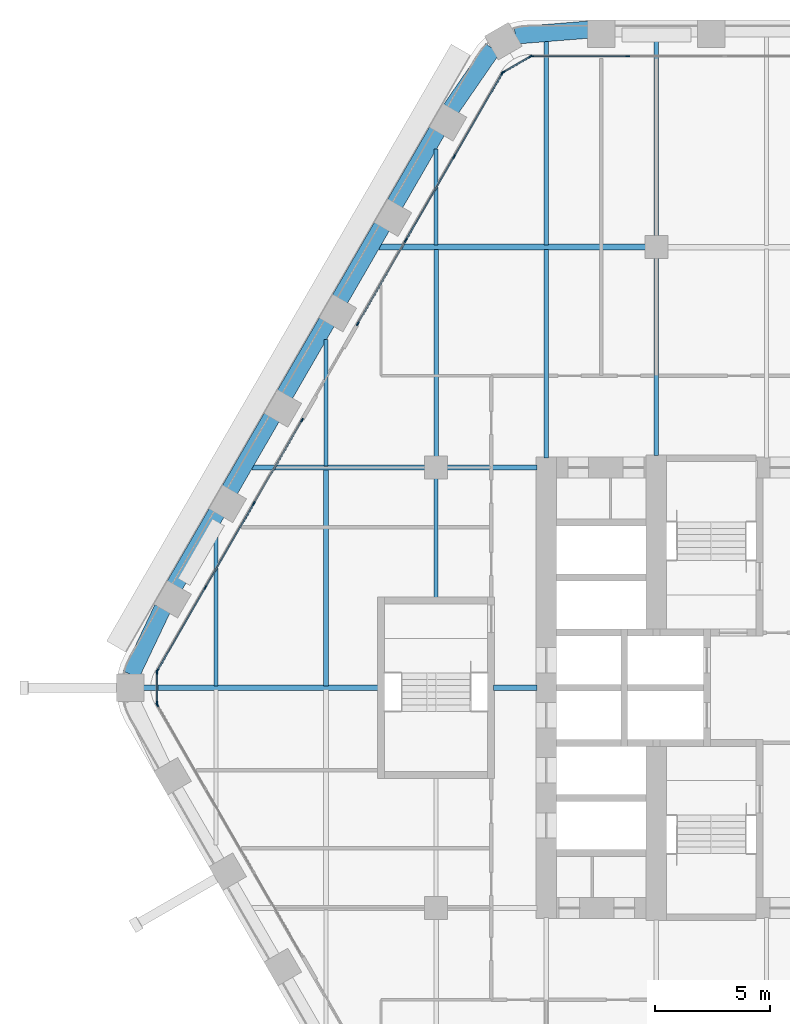
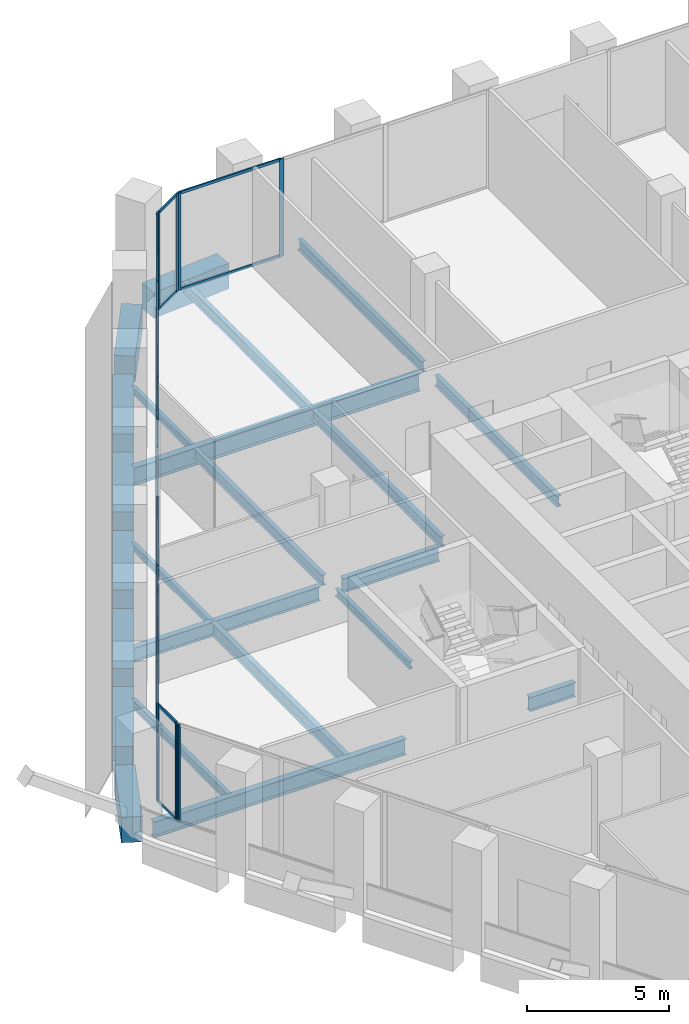
# One storey, part 7 of 26: 33 members, 23 beams, 6 elements without a shape of their own.
"""IFC4 building model written with IfcOpenShell, lengths in metres."""

from ifc_helpers import new_model, si_unit, direction, frame, origin, origin_2d, place, context, subcontext, project, spatial, rectangle, i_section, extrude, material, material_profile, profile_set, type_object, element, aggregate, save


model = new_model("IFC4")

# Units and contexts
model_context = context("Model", 3, precision=1e-05, world=origin(), true_north=direction((0.0, 1.0)))
body_context = subcontext(model_context, "Body", "Model", "MODEL_VIEW")
ifc_project = project(units=[si_unit("LENGTHUNIT", "METRE"), si_unit("AREAUNIT", "SQUARE_METRE"), si_unit("VOLUMEUNIT", "CUBIC_METRE"), si_unit("PLANEANGLEUNIT", "RADIAN"), si_unit("MASSUNIT", "GRAM", prefix="KILO")], contexts=[model_context])

# Site, building, storey
site_placement = place(None, origin())
site = spatial("IfcSite", under=ifc_project, at=site_placement, CompositionType="ELEMENT")
building_placement = place(site_placement, origin())
building = spatial("IfcBuilding", under=site, at=building_placement, Name="Kolab Exchange Tower", CompositionType="ELEMENT")
storey_placement = place(building_placement, frame((0.0, 0.0, 104.89990234375)))
storey = spatial("IfcBuildingStorey", under=building, at=storey_placement, Name="L20", CompositionType="ELEMENT", Elevation=104.89990234375)

# Beams
ifc_material_1 = material(Name="Steel S355", Category="steel")
ifc_material_profile_1 = material_profile(ifc_material_1, i_section(OverallWidth=0.1650390625, OverallDepth=0.31005859375, WebThickness=0.005859375, FlangeThickness=0.009765625, at=origin_2d()), Name="W310X39")
ifc_profile_set_1 = profile_set([ifc_material_profile_1], Name="Steel S355")
beam_type_1 = type_object("IfcBeamType", Name="FLOOR BEAM W310X39", PredefinedType="BEAM", material=ifc_profile_set_1)
beam_1_placement = place(storey_placement, frame((-24.0, 9.674072265625, -0.35498046875), z_axis=(0.0, 1.0, 0.0), x_axis=(-1.0, 0.0, 0.0)))
element("IfcBeam", 1, at=beam_1_placement, inside=storey, type_object=beam_type_1, Name="beam/L20/fr/005", PredefinedType="BEAM", context=body_context, shape_type="SweptSolid", body=[
    extrude(i_section(OverallWidth=0.1650390625, OverallDepth=0.31005859375, WebThickness=0.005859375, FlangeThickness=0.009765625, at=origin_2d()), origin(), (0.0, 0.0, 1.0), 5.49365234375),
])
beam_2_placement = place(storey_placement, frame((-19.199951171875, 3.909912109375, -0.35498046875), z_axis=(0.0, 1.0, 0.0), x_axis=(-1.0, 0.0, 0.0)))
element("IfcBeam", 2, at=beam_2_placement, inside=storey, type_object=beam_type_1, Name="beam/L20/fr/009", PredefinedType="BEAM", context=body_context, shape_type="SweptSolid", body=[
    extrude(i_section(OverallWidth=0.1650390625, OverallDepth=0.31005859375, WebThickness=0.005859375, FlangeThickness=0.009765625, at=origin_2d()), origin(), (0.0, 0.0, 1.0), 5.22998046875),
])
beam_3_placement = place(storey_placement, frame((-19.199951171875, 19.29345703125, -0.35498046875), z_axis=(0.0, 1.0, 0.0), x_axis=(-1.0, 0.0, 0.0)))
element("IfcBeam", 3, at=beam_3_placement, inside=storey, type_object=beam_type_1, Name="beam/L20/fr/011", PredefinedType="BEAM", context=body_context, shape_type="SweptSolid", body=[
    extrude(i_section(OverallWidth=0.1650390625, OverallDepth=0.31005859375, WebThickness=0.005859375, FlangeThickness=0.009765625, at=origin_2d()), origin(), (0.0, 0.0, 1.0), 4.18798828125),
])
ifc_material_profile_2 = material_profile(ifc_material_1, i_section(OverallWidth=0.1708984375, OverallDepth=0.35498046875, WebThickness=0.007080078125, FlangeThickness=0.01171875, at=origin_2d()), Name="W360X51")
ifc_profile_set_2 = profile_set([ifc_material_profile_2], Name="Steel S355")
beam_type_2 = type_object("IfcBeamType", Name="FLOOR BEAM W360X51", PredefinedType="BEAM", material=ifc_profile_set_2)
beam_4_placement = place(storey_placement, frame((-28.800048828125, 0.0869140625, -0.37744140625), z_axis=(0.0, 1.0, 0.0), x_axis=(-1.0, 0.0, 0.0)))
element("IfcBeam", 4, at=beam_4_placement, inside=storey, type_object=beam_type_2, Name="beam/L20/fr/001", PredefinedType="BEAM", context=body_context, shape_type="SweptSolid", body=[
    extrude(i_section(OverallWidth=0.1708984375, OverallDepth=0.35498046875, WebThickness=0.007080078125, FlangeThickness=0.01171875, at=origin_2d()), origin(), (0.0, 0.0, 1.0), 6.766845703125),
])
ifc_material_profile_3 = material_profile(ifc_material_1, i_section(OverallWidth=0.18994140625, OverallDepth=0.45703125, WebThickness=0.009033203125, FlangeThickness=0.014404296875, at=origin_2d()), Name="W460X74")
ifc_profile_set_3 = profile_set([ifc_material_profile_3], Name="Steel S355")
beam_type_3 = type_object("IfcBeamType", Name="FLOOR BEAM W460X74", PredefinedType="BEAM", material=ifc_profile_set_3)
beam_5_placement = place(storey_placement, frame((-19.199951171875, 10.06005859375, -0.428466796875), z_axis=(0.0, 1.0, 0.0), x_axis=(-1.0, 0.0, 0.0)))
element("IfcBeam", 5, at=beam_5_placement, inside=storey, type_object=beam_type_3, Name="beam/L20/fr/010", PredefinedType="BEAM", context=body_context, shape_type="SweptSolid", body=[
    extrude(i_section(OverallWidth=0.18994140625, OverallDepth=0.45703125, WebThickness=0.009033203125, FlangeThickness=0.014404296875, at=origin_2d()), origin(), (0.0, 0.0, 1.0), 9.04638671875),
])
beam_6_placement = place(storey_placement, frame((-14.39990234375, 10.010009765625, -0.428466796875), z_axis=(0.0, 1.0, 0.0), x_axis=(-1.0, 0.0, 0.0)))
element("IfcBeam", 6, at=beam_6_placement, inside=storey, type_object=beam_type_3, Name="beam/L20/fr/014", PredefinedType="BEAM", context=body_context, shape_type="SweptSolid", body=[
    extrude(i_section(OverallWidth=0.18994140625, OverallDepth=0.45703125, WebThickness=0.009033203125, FlangeThickness=0.014404296875, at=origin_2d()), origin(), (0.0, 0.0, 1.0), 9.096435546875),
])
beam_7_placement = place(storey_placement, frame((-14.39990234375, 19.29345703125, -0.428466796875), z_axis=(0.0, 1.0, 0.0), x_axis=(-1.0, 0.0, 0.0)))
element("IfcBeam", 7, at=beam_7_placement, inside=storey, type_object=beam_type_3, Name="beam/L20/fr/015", PredefinedType="BEAM", context=body_context, shape_type="SweptSolid", body=[
    extrude(i_section(OverallWidth=0.18994140625, OverallDepth=0.45703125, WebThickness=0.009033203125, FlangeThickness=0.014404296875, at=origin_2d()), origin(), (0.0, 0.0, 1.0), 8.901123046875),
])
beam_8_placement = place(storey_placement, frame((-9.60009765625, 10.110107421875, -0.428466796875), z_axis=(0.0, 1.0, 0.0), x_axis=(-1.0, 0.0, 0.0)))
element("IfcBeam", 8, at=beam_8_placement, inside=storey, type_object=beam_type_3, Name="beam/L20/fr/018", PredefinedType="BEAM", context=body_context, shape_type="SweptSolid", body=[
    extrude(i_section(OverallWidth=0.18994140625, OverallDepth=0.45703125, WebThickness=0.009033203125, FlangeThickness=0.014404296875, at=origin_2d()), origin(), (0.0, 0.0, 1.0), 8.6298828125),
])
beam_9_placement = place(storey_placement, frame((-9.60009765625, 19.659912109375, -0.428466796875), z_axis=(0.0, 1.0, 0.0), x_axis=(-1.0, 0.0, 0.0)))
element("IfcBeam", 9, at=beam_9_placement, inside=storey, type_object=beam_type_3, Name="beam/L20/fr/019", PredefinedType="BEAM", context=body_context, shape_type="SweptSolid", body=[
    extrude(i_section(OverallWidth=0.18994140625, OverallDepth=0.45703125, WebThickness=0.009033203125, FlangeThickness=0.014404296875, at=origin_2d()), origin(), (0.0, 0.0, 1.0), 8.728515625),
])
ifc_material_profile_4 = material_profile(ifc_material_1, i_section(OverallWidth=0.208984375, OverallDepth=0.532958984375, WebThickness=0.01025390625, FlangeThickness=0.015625, at=origin_2d()), Name="W530X92")
ifc_profile_set_4 = profile_set([ifc_material_profile_4], Name="Steel S355")
beam_type_4 = type_object("IfcBeamType", Name="FLOOR BEAM W530X92", PredefinedType="BEAM", material=ifc_profile_set_4)
beam_10_placement = place(storey_placement, frame((-24.0, 0.0869140625, -0.46630859375), z_axis=(0.0, 1.0, 0.0), x_axis=(-1.0, 0.0, 0.0)))
element("IfcBeam", 10, at=beam_10_placement, inside=storey, type_object=beam_type_4, Name="beam/L20/fr/004", PredefinedType="BEAM", context=body_context, shape_type="SweptSolid", body=[
    extrude(i_section(OverallWidth=0.208984375, OverallDepth=0.532958984375, WebThickness=0.01025390625, FlangeThickness=0.015625, at=origin_2d()), origin(), (0.0, 0.0, 1.0), 9.43896484375),
])
ifc_material_profile_5 = material_profile(ifc_material_1, i_section(OverallWidth=0.22802734375, OverallDepth=0.60791015625, WebThickness=0.01123046875, FlangeThickness=0.017333984375, at=origin_2d()), Name="W610X113")
ifc_profile_set_5 = profile_set([ifc_material_profile_5], Name="Steel S355")
beam_type_5 = type_object("IfcBeamType", Name="FLOOR GIRDER W610X113", PredefinedType="BEAM", material=ifc_profile_set_5)
beam_11_placement = place(storey_placement, frame((-27.2314453125, 9.60009765625, -0.50390625), z_axis=(1.0, 0.0, 0.0), x_axis=(0.0, 1.0, 0.0)))
element("IfcBeam", 11, at=beam_11_placement, inside=storey, type_object=beam_type_5, Name="beam/L20/gd/002", PredefinedType="BEAM", context=body_context, shape_type="SweptSolid", body=[
    extrude(i_section(OverallWidth=0.22802734375, OverallDepth=0.60791015625, WebThickness=0.01123046875, FlangeThickness=0.017333984375, at=origin_2d()), origin(), (0.0, 0.0, 1.0), 7.571533203125),
])
beam_12_placement = place(storey_placement, frame((-18.739990234375, 9.60009765625, -0.50390625), z_axis=(1.0, 0.0, 0.0), x_axis=(0.0, 1.0, 0.0)))
element("IfcBeam", 12, at=beam_12_placement, inside=storey, type_object=beam_type_5, Name="beam/L20/gd/006", PredefinedType="BEAM", context=body_context, shape_type="SweptSolid", body=[
    extrude(i_section(OverallWidth=0.22802734375, OverallDepth=0.60791015625, WebThickness=0.01123046875, FlangeThickness=0.017333984375, at=origin_2d()), origin(), (0.0, 0.0, 1.0), 3.929931640625),
])
beam_13_placement = place(storey_placement, frame((-16.68994140625, 0.0, -0.50390625), z_axis=(1.0, 0.0, 0.0), x_axis=(0.0, 1.0, 0.0)))
element("IfcBeam", 13, at=beam_13_placement, inside=storey, type_object=beam_type_5, Name="beam/L20/gd/007", PredefinedType="BEAM", context=body_context, shape_type="SweptSolid", body=[
    extrude(i_section(OverallWidth=0.22802734375, OverallDepth=0.60791015625, WebThickness=0.01123046875, FlangeThickness=0.017333984375, at=origin_2d()), origin(), (0.0, 0.0, 1.0), 1.8798828125),
])
ifc_material_profile_6 = material_profile(ifc_material_1, i_section(OverallWidth=0.25390625, OverallDepth=0.68408203125, WebThickness=0.012451171875, FlangeThickness=0.018798828125, at=origin_2d()), Name="W690X140")
ifc_profile_set_6 = profile_set([ifc_material_profile_6], Name="Steel S355")
beam_type_6 = type_object("IfcBeamType", Name="FLOOR GIRDER W690X140", PredefinedType="BEAM", material=ifc_profile_set_6)
beam_14_placement = place(storey_placement, frame((-31.975830078125, 0.0, -0.5419921875), z_axis=(1.0, 0.0, 0.0), x_axis=(0.0, 1.0, 0.0)))
element("IfcBeam", 14, at=beam_14_placement, inside=storey, type_object=beam_type_6, Name="beam/L20/gd/000", PredefinedType="BEAM", context=body_context, shape_type="SweptSolid", body=[
    extrude(i_section(OverallWidth=0.25390625, OverallDepth=0.68408203125, WebThickness=0.012451171875, FlangeThickness=0.018798828125, at=origin_2d()), origin(), (0.0, 0.0, 1.0), 10.265869140625),
])
ifc_material_profile_7 = material_profile(ifc_material_1, i_section(OverallWidth=0.26708984375, OverallDepth=0.761962890625, WebThickness=0.014404296875, FlangeThickness=0.021484375, at=origin_2d()), Name="W760X173")
ifc_profile_set_7 = profile_set([ifc_material_profile_7], Name="Steel S355")
beam_type_7 = type_object("IfcBeamType", Name="FLOOR GIRDER W760X173", PredefinedType="BEAM", material=ifc_profile_set_7)
beam_15_placement = place(storey_placement, frame((-21.688720703125, 19.199951171875, -0.580810546875), z_axis=(1.0, 0.0, 0.0), x_axis=(0.0, 1.0, 0.0)))
element("IfcBeam", 15, at=beam_15_placement, inside=storey, type_object=beam_type_7, Name="beam/L20/gd/004", PredefinedType="BEAM", context=body_context, shape_type="SweptSolid", body=[
    extrude(i_section(OverallWidth=0.26708984375, OverallDepth=0.761962890625, WebThickness=0.014404296875, FlangeThickness=0.021484375, at=origin_2d()), origin(), (0.0, 0.0, 1.0), 11.628662109375),
])
ifc_material_2 = material(Name="Concrete C70/85", Category="concrete")
ifc_material_profile_8 = material_profile(ifc_material_2, rectangle(XDim=0.75, YDim=1.10009765625, at=origin_2d()), Name="RC750X1100")
ifc_profile_set_8 = profile_set([ifc_material_profile_8], Name="Concrete C70/85")
beam_type_8 = type_object("IfcBeamType", Name="SPANDREL BEAM 750X1100 C70/85", PredefinedType="BEAM", material=ifc_profile_set_8)
beam_16_placement = place(storey_placement, frame((-15.75830078125, 28.421630859375, -0.75), z_axis=(0.996791038408, 0.080047646748, 0.0), x_axis=(-0.080047646748, 0.996791038408, 0.0)))
element("IfcBeam", 16, at=beam_16_placement, inside=storey, type_object=beam_type_8, Name="beam/L20/sp/F1-01", PredefinedType="BEAM", context=body_context, shape_type="SweptSolid", body=[
    extrude(rectangle(XDim=0.75, YDim=1.10009765625, at=origin_2d()), origin(), (0.0, 0.0, 1.0), 3.20849609375),
])
beam_17_placement = place(storey_placement, frame((-32.492919921875, 0.56396484375, -0.75), z_axis=(0.429041292193, 0.903284877319, 0.0), x_axis=(-0.903284877319, 0.429041292193, 0.0)))
element("IfcBeam", 17, at=beam_17_placement, inside=storey, type_object=beam_type_8, Name="beam/L20/sp/F6-01", PredefinedType="BEAM", context=body_context, shape_type="SweptSolid", body=[
    extrude(rectangle(XDim=0.75, YDim=1.10009765625, at=origin_2d()), origin(), (0.0, 0.0, 1.0), 3.208251953125),
])
for number, where, z_axis, x_axis, name in (
    (18, (-30.59521484375, 4.454345703125, -0.75), (0.500013413428, 0.866017659399, 0.0), (-0.866017659399, 0.500013413428, 0.0), "beam/L20/sp/F6-02"),
    (19, (-28.1953125, 8.611328125, -0.75), (0.500013413428, 0.866017659399, 0.0), (-0.866017659399, 0.500013413428, 0.0), "beam/L20/sp/F6-03"),
):
    element("IfcBeam", number, at=place(storey_placement, frame(where, z_axis=z_axis, x_axis=x_axis)), inside=storey, type_object=beam_type_8, Name=name, PredefinedType="BEAM", context=body_context, shape_type="SweptSolid", body=[
        extrude(rectangle(XDim=0.75, YDim=1.10009765625, at=origin_2d()), origin(), (0.0, 0.0, 1.0), 3.68017578125),
    ])
beam_18_placement = place(storey_placement, frame((-25.795166015625, 12.768310546875, -0.75), z_axis=(0.499963655964, 0.866046386007, 0.0), x_axis=(-0.866046386007, 0.499963655964, 0.0)))
element("IfcBeam", 20, at=beam_18_placement, inside=storey, type_object=beam_type_8, Name="beam/L20/sp/F6-04", PredefinedType="BEAM", context=body_context, shape_type="SweptSolid", body=[
    extrude(rectangle(XDim=0.75, YDim=1.10009765625, at=origin_2d()), origin(), (0.0, 0.0, 1.0), 3.679931640625),
])
for number, where, z_axis, x_axis, name in (
    (21, (-23.395263671875, 16.925048828125, -0.75), (0.500013413428, 0.866017659399, 0.0), (-0.866017659399, 0.500013413428, 0.0), "beam/L20/sp/F6-05"),
    (22, (-20.995361328125, 21.08203125, -0.75), (0.500013413428, 0.866017659399, 0.0), (-0.866017659399, 0.500013413428, 0.0), "beam/L20/sp/F6-06"),
):
    element("IfcBeam", number, at=place(storey_placement, frame(where, z_axis=z_axis, x_axis=x_axis)), inside=storey, type_object=beam_type_8, Name=name, PredefinedType="BEAM", context=body_context, shape_type="SweptSolid", body=[
        extrude(rectangle(XDim=0.75, YDim=1.10009765625, at=origin_2d()), origin(), (0.0, 0.0, 1.0), 3.68017578125),
    ])
beam_19_placement = place(storey_placement, frame((-18.55615234375, 25.216552734375, -0.75), z_axis=(0.567661826262, 0.823261836237, 0.0), x_axis=(-0.823261836237, 0.567661826262, 0.0)))
element("IfcBeam", 23, at=beam_19_placement, inside=storey, type_object=beam_type_8, Name="beam/L20/sp/F6-07", PredefinedType="BEAM", context=body_context, shape_type="SweptSolid", body=[
    extrude(rectangle(XDim=0.75, YDim=1.10009765625, at=origin_2d()), origin(), (0.0, 0.0, 1.0), 3.20849609375),
])

# Curtain wall, members
ifc_material_3 = material(Name="Aluminium EN AW-6063 T6", Category="aluminium")
curtain_wall_type = type_object("IfcCurtainWallType", Name="UNITISED LOWER MID ZONE CURTAIN WALL", PredefinedType="NOTDEFINED", material=ifc_material_3)
curtain_wall_1_placement = place(storey_placement, origin())
curtain_wall_1 = element("IfcCurtainWall", 24, at=curtain_wall_1_placement, inside=storey, type_object=curtain_wall_type, Name="cw/L20/F1-1", PredefinedType="NOTDEFINED")
ifc_material_profile_9 = material_profile(ifc_material_3, rectangle(XDim=0.06005859375, YDim=0.179931640625, at=origin_2d()), Name="RECT 60X180")
ifc_profile_set_9 = profile_set([ifc_material_profile_9], Name="Aluminium EN AW-6063 T6")
member_type_1 = type_object("IfcMemberType", Name="UNITISED LOWER MID ZONE MULLION 60 X 180", PredefinedType="MULLION", material=ifc_profile_set_9)
member_1_placement = place(storey_placement, frame((-15.037841796875, 27.5185546875, 0.0), z_axis=(0.0, 0.0, 1.0), x_axis=(0.0, 1.0, 0.0)))
member_1 = element("IfcMember", 25, at=member_1_placement, type_object=member_type_1, Name="CW2 mullion 1", PredefinedType="MULLION", context=body_context, shape_type="SweptSolid", body=[
    extrude(rectangle(XDim=0.06005859375, YDim=0.179931640625, at=origin_2d()), origin(), (0.0, 0.0, 1.0), 4.2001953125),
])
member_2_placement = place(storey_placement, frame((-10.84521484375, 27.5185546875, 0.0), z_axis=(0.0, 0.0, 1.0), x_axis=(0.0, 1.0, 0.0)))
member_2 = element("IfcMember", 26, at=member_2_placement, type_object=member_type_1, Name="CW2 mullion 2", PredefinedType="MULLION", context=body_context, shape_type="SweptSolid", body=[
    extrude(rectangle(XDim=0.06005859375, YDim=0.179931640625, at=origin_2d()), origin(), (0.0, 0.0, 1.0), 4.2001953125),
])

# Curtain wall, member
curtain_wall_2_placement = place(storey_placement, origin())
curtain_wall_2 = element("IfcCurtainWall", 27, at=curtain_wall_2_placement, inside=storey, type_object=curtain_wall_type, Name="cw/L20/F5-2", PredefinedType="NOTDEFINED")
member_3_placement = place(storey_placement, frame((-31.3505859375, -0.736083984375, 0.0), z_axis=(0.0, 0.0, 1.0), x_axis=(-0.866025427826, -0.499999958358, 0.0)))
member_3 = element("IfcMember", 28, at=member_3_placement, type_object=member_type_1, Name="CW2 mullion 4", PredefinedType="MULLION", context=body_context, shape_type="SweptSolid", body=[
    extrude(rectangle(XDim=0.06005859375, YDim=0.179931640625, at=origin_2d()), origin(), (0.0, 0.0, 1.0), 4.2001953125),
])
aggregate(curtain_wall_2, [member_3])

# Curtain wall, members
curtain_wall_3_placement = place(storey_placement, origin())
curtain_wall_3 = element("IfcCurtainWall", 29, at=curtain_wall_3_placement, inside=storey, type_object=curtain_wall_type, Name="cw/L20/F6-1", PredefinedType="NOTDEFINED")
member_4_placement = place(storey_placement, frame((-31.3505859375, 0.736083984375, 0.0), z_axis=(0.0, 0.0, 1.0), x_axis=(-0.866025427826, 0.499999958358, 0.0)))
member_4 = element("IfcMember", 30, at=member_4_placement, type_object=member_type_1, Name="CW2 mullion 1", PredefinedType="MULLION", context=body_context, shape_type="SweptSolid", body=[
    extrude(rectangle(XDim=0.06005859375, YDim=0.179931640625, at=origin_2d()), origin(), (0.0, 0.0, 1.0), 4.2001953125),
])
member_5_placement = place(storey_placement, frame((-29.25439453125, 4.366943359375, 0.0), z_axis=(0.0, 0.0, 1.0), x_axis=(-0.866025427826, 0.499999958358, 0.0)))
member_5 = element("IfcMember", 31, at=member_5_placement, type_object=member_type_1, Name="CW2 mullion 2", PredefinedType="MULLION", context=body_context, shape_type="SweptSolid", body=[
    extrude(rectangle(XDim=0.06005859375, YDim=0.179931640625, at=origin_2d()), origin(), (0.0, 0.0, 1.0), 4.2001953125),
])
member_6_placement = place(storey_placement, frame((-27.14306640625, 8.02392578125, 0.0), z_axis=(0.0, 0.0, 1.0), x_axis=(-0.866025427826, 0.499999958358, 0.0)))
member_6 = element("IfcMember", 32, at=member_6_placement, type_object=member_type_1, Name="CW2 mullion 3", PredefinedType="MULLION", context=body_context, shape_type="SweptSolid", body=[
    extrude(rectangle(XDim=0.06005859375, YDim=0.179931640625, at=origin_2d()), origin(), (0.0, 0.0, 1.0), 4.2001953125),
])
member_7_placement = place(storey_placement, frame((-25.046630859375, 11.65478515625, 0.0), z_axis=(0.0, 0.0, 1.0), x_axis=(-0.866025427826, 0.499999958358, 0.0)))
member_7 = element("IfcMember", 33, at=member_7_placement, type_object=member_type_1, Name="CW2 mullion 4", PredefinedType="MULLION", context=body_context, shape_type="SweptSolid", body=[
    extrude(rectangle(XDim=0.06005859375, YDim=0.179931640625, at=origin_2d()), origin(), (0.0, 0.0, 1.0), 4.2001953125),
])

curtain_wall_4_placement = place(storey_placement, origin())
curtain_wall_4 = element("IfcCurtainWall", 34, at=curtain_wall_4_placement, inside=storey, type_object=curtain_wall_type, Name="cw/L20/F6-2", PredefinedType="NOTDEFINED")
member_8_placement = place(storey_placement, frame((-22.61669921875, 15.86376953125, 0.0), z_axis=(0.0, 0.0, 1.0), x_axis=(-0.866025393644, 0.500000017564, 0.0)))
member_8 = element("IfcMember", 35, at=member_8_placement, type_object=member_type_1, Name="CW2 mullion 1", PredefinedType="MULLION", context=body_context, shape_type="SweptSolid", body=[
    extrude(rectangle(XDim=0.06005859375, YDim=0.179931640625, at=origin_2d()), origin(), (0.0, 0.0, 1.0), 4.2001953125),
])
member_9_placement = place(storey_placement, frame((-20.520263671875, 19.49462890625, 0.0), z_axis=(0.0, 0.0, 1.0), x_axis=(-0.866025393644, 0.500000017564, 0.0)))
member_9 = element("IfcMember", 36, at=member_9_placement, type_object=member_type_1, Name="CW2 mullion 2", PredefinedType="MULLION", context=body_context, shape_type="SweptSolid", body=[
    extrude(rectangle(XDim=0.06005859375, YDim=0.179931640625, at=origin_2d()), origin(), (0.0, 0.0, 1.0), 4.2001953125),
])
member_10_placement = place(storey_placement, frame((-18.408935546875, 23.151611328125, 0.0), z_axis=(0.0, 0.0, 1.0), x_axis=(-0.866025393644, 0.500000017564, 0.0)))
member_10 = element("IfcMember", 37, at=member_10_placement, type_object=member_type_1, Name="CW2 mullion 3", PredefinedType="MULLION", context=body_context, shape_type="SweptSolid", body=[
    extrude(rectangle(XDim=0.06005859375, YDim=0.179931640625, at=origin_2d()), origin(), (0.0, 0.0, 1.0), 4.2001953125),
])
member_11_placement = place(storey_placement, frame((-16.312744140625, 26.782470703125, 0.0), z_axis=(0.0, 0.0, 1.0), x_axis=(-0.866025393644, 0.500000017564, 0.0)))
member_11 = element("IfcMember", 38, at=member_11_placement, type_object=member_type_1, Name="CW2 mullion 4", PredefinedType="MULLION", context=body_context, shape_type="SweptSolid", body=[
    extrude(rectangle(XDim=0.06005859375, YDim=0.179931640625, at=origin_2d()), origin(), (0.0, 0.0, 1.0), 4.2001953125),
])

curtain_wall_5_placement = place(storey_placement, origin())
curtain_wall_5 = element("IfcCurtainWall", 39, at=curtain_wall_5_placement, inside=storey, type_object=curtain_wall_type, Name="cw/L20/F5F6-corner", PredefinedType="NOTDEFINED")
member_12_placement = place(storey_placement, frame((-31.36572265625, -0.679931640625, 0.0), z_axis=(0.0, 0.0, 1.0), x_axis=(-1.0, 0.0, 0.0)))
member_12 = element("IfcMember", 40, at=member_12_placement, type_object=member_type_1, Name="CW2 mullion 1", PredefinedType="MULLION", context=body_context, shape_type="SweptSolid", body=[
    extrude(rectangle(XDim=0.06005859375, YDim=0.179931640625, at=origin_2d()), origin(), (0.0, 0.0, 1.0), 4.2001953125),
])
member_13_placement = place(storey_placement, frame((-31.36572265625, 0.679931640625, 0.0), z_axis=(0.0, 0.0, 1.0), x_axis=(-1.0, 0.0, 0.0)))
member_13 = element("IfcMember", 41, at=member_13_placement, type_object=member_type_1, Name="CW2 mullion 2", PredefinedType="MULLION", context=body_context, shape_type="SweptSolid", body=[
    extrude(rectangle(XDim=0.06005859375, YDim=0.179931640625, at=origin_2d()), origin(), (0.0, 0.0, 1.0), 4.2001953125),
])

curtain_wall_6_placement = place(storey_placement, origin())
curtain_wall_6 = element("IfcCurtainWall", 42, at=curtain_wall_6_placement, inside=storey, type_object=curtain_wall_type, Name="cw/L20/F6F1-corner", PredefinedType="NOTDEFINED")
member_14_placement = place(storey_placement, frame((-16.271728515625, 26.823486328125, 0.0), z_axis=(0.0, 0.0, 1.0), x_axis=(-0.50000002237, 0.866025390869, 0.0)))
member_14 = element("IfcMember", 43, at=member_14_placement, type_object=member_type_1, Name="CW2 mullion 1", PredefinedType="MULLION", context=body_context, shape_type="SweptSolid", body=[
    extrude(rectangle(XDim=0.06005859375, YDim=0.179931640625, at=origin_2d()), origin(), (0.0, 0.0, 1.0), 4.2001953125),
])
member_15_placement = place(storey_placement, frame((-15.093994140625, 27.50341796875, 0.0), z_axis=(0.0, 0.0, 1.0), x_axis=(-0.50000002237, 0.866025390869, 0.0)))
member_15 = element("IfcMember", 44, at=member_15_placement, type_object=member_type_1, Name="CW2 mullion 2", PredefinedType="MULLION", context=body_context, shape_type="SweptSolid", body=[
    extrude(rectangle(XDim=0.06005859375, YDim=0.179931640625, at=origin_2d()), origin(), (0.0, 0.0, 1.0), 4.2001953125),
])

# Member
ifc_material_profile_10 = material_profile(ifc_material_3, rectangle(XDim=0.06005859375, YDim=0.1201171875, at=origin_2d()), Name="RECT 60X120")
ifc_profile_set_10 = profile_set([ifc_material_profile_10], Name="Aluminium EN AW-6063 T6")
member_type_2 = type_object("IfcMemberType", Name="UNITISED LOWER MID ZONE TRANSOM 60 X 120", PredefinedType="USERDEFINED", material=ifc_profile_set_10)
member_16_placement = place(storey_placement, frame((-15.008056640625, 27.5185546875, 0.030029296875), z_axis=(1.0, 0.0, 0.0), x_axis=(0.0, 1.0, 0.0)))
member_16 = element("IfcMember", 45, at=member_16_placement, type_object=member_type_2, Name="CW2 transom 1.1", ObjectType="TRANSOM", PredefinedType="USERDEFINED", context=body_context, shape_type="SweptSolid", body=[
    extrude(rectangle(XDim=0.06005859375, YDim=0.1201171875, at=origin_2d()), origin(), (0.0, 0.0, 1.0), 4.1328125),
])

member_17_placement = place(storey_placement, frame((-15.008056640625, 27.5185546875, 4.170166015625), z_axis=(1.0, 0.0, 0.0), x_axis=(0.0, 1.0, 0.0)))
member_17 = element("IfcMember", 46, at=member_17_placement, type_object=member_type_2, Name="CW2 transom 1.2", ObjectType="TRANSOM", PredefinedType="USERDEFINED", context=body_context, shape_type="SweptSolid", body=[
    extrude(rectangle(XDim=0.06005859375, YDim=0.1201171875, at=origin_2d()), origin(), (0.0, 0.0, 1.0), 4.1328125),
])

aggregate(curtain_wall_1, [member_1, member_2, member_16, member_17])

member_18_placement = place(storey_placement, frame((-31.335693359375, 0.761962890625, 0.030029296875), z_axis=(0.500027577057, 0.866009481578, 0.0), x_axis=(-0.866009481578, 0.500027577057, 0.0)))
member_18 = element("IfcMember", 47, at=member_18_placement, type_object=member_type_2, Name="CW2 transom 1.1", ObjectType="TRANSOM", PredefinedType="USERDEFINED", context=body_context, shape_type="SweptSolid", body=[
    extrude(rectangle(XDim=0.06005859375, YDim=0.1201171875, at=origin_2d()), origin(), (0.0, 0.0, 1.0), 4.132568359375),
])

member_19_placement = place(storey_placement, frame((-31.335693359375, 0.761962890625, 4.170166015625), z_axis=(0.500027577057, 0.866009481578, 0.0), x_axis=(-0.866009481578, 0.500027577057, 0.0)))
member_19 = element("IfcMember", 48, at=member_19_placement, type_object=member_type_2, Name="CW2 transom 1.2", ObjectType="TRANSOM", PredefinedType="USERDEFINED", context=body_context, shape_type="SweptSolid", body=[
    extrude(rectangle(XDim=0.06005859375, YDim=0.1201171875, at=origin_2d()), origin(), (0.0, 0.0, 1.0), 4.132568359375),
])

member_20_placement = place(storey_placement, frame((-29.2392578125, 4.392822265625, 0.030029296875), z_axis=(0.49999322259, 0.866029316688, 0.0), x_axis=(-0.866029316688, 0.49999322259, 0.0)))
member_20 = element("IfcMember", 49, at=member_20_placement, type_object=member_type_2, Name="CW2 transom 2.1", ObjectType="TRANSOM", PredefinedType="USERDEFINED", context=body_context, shape_type="SweptSolid", body=[
    extrude(rectangle(XDim=0.06005859375, YDim=0.1201171875, at=origin_2d()), origin(), (0.0, 0.0, 1.0), 4.16259765625),
])

member_21_placement = place(storey_placement, frame((-29.2392578125, 4.392822265625, 4.170166015625), z_axis=(0.49999322259, 0.866029316688, 0.0), x_axis=(-0.866029316688, 0.49999322259, 0.0)))
member_21 = element("IfcMember", 50, at=member_21_placement, type_object=member_type_2, Name="CW2 transom 2.2", ObjectType="TRANSOM", PredefinedType="USERDEFINED", context=body_context, shape_type="SweptSolid", body=[
    extrude(rectangle(XDim=0.06005859375, YDim=0.1201171875, at=origin_2d()), origin(), (0.0, 0.0, 1.0), 4.16259765625),
])

member_22_placement = place(storey_placement, frame((-27.1279296875, 8.0498046875, 0.030029296875), z_axis=(0.499957688808, 0.866049830784, 0.0), x_axis=(-0.866049830784, 0.499957688808, 0.0)))
member_22 = element("IfcMember", 51, at=member_22_placement, type_object=member_type_2, Name="CW2 transom 3.1", ObjectType="TRANSOM", PredefinedType="USERDEFINED", context=body_context, shape_type="SweptSolid", body=[
    extrude(rectangle(XDim=0.06005859375, YDim=0.1201171875, at=origin_2d()), origin(), (0.0, 0.0, 1.0), 4.132568359375),
])

member_23_placement = place(storey_placement, frame((-27.1279296875, 8.0498046875, 4.170166015625), z_axis=(0.499957688808, 0.866049830784, 0.0), x_axis=(-0.866049830784, 0.499957688808, 0.0)))
member_23 = element("IfcMember", 52, at=member_23_placement, type_object=member_type_2, Name="CW2 transom 3.2", ObjectType="TRANSOM", PredefinedType="USERDEFINED", context=body_context, shape_type="SweptSolid", body=[
    extrude(rectangle(XDim=0.06005859375, YDim=0.1201171875, at=origin_2d()), origin(), (0.0, 0.0, 1.0), 4.132568359375),
])

aggregate(curtain_wall_3, [member_4, member_5, member_6, member_7, member_18, member_19, member_20, member_21, member_22, member_23])

member_24_placement = place(storey_placement, frame((-22.6015625, 15.8896484375, 0.030029296875), z_axis=(0.499957688808, 0.866049830784, 0.0), x_axis=(-0.866049830784, 0.499957688808, 0.0)))
member_24 = element("IfcMember", 53, at=member_24_placement, type_object=member_type_2, Name="CW2 transom 1.1", ObjectType="TRANSOM", PredefinedType="USERDEFINED", context=body_context, shape_type="SweptSolid", body=[
    extrude(rectangle(XDim=0.06005859375, YDim=0.1201171875, at=origin_2d()), origin(), (0.0, 0.0, 1.0), 4.132568359375),
])

member_25_placement = place(storey_placement, frame((-22.6015625, 15.8896484375, 4.170166015625), z_axis=(0.499957688808, 0.866049830784, 0.0), x_axis=(-0.866049830784, 0.499957688808, 0.0)))
member_25 = element("IfcMember", 54, at=member_25_placement, type_object=member_type_2, Name="CW2 transom 1.2", ObjectType="TRANSOM", PredefinedType="USERDEFINED", context=body_context, shape_type="SweptSolid", body=[
    extrude(rectangle(XDim=0.06005859375, YDim=0.1201171875, at=origin_2d()), origin(), (0.0, 0.0, 1.0), 4.132568359375),
])

member_26_placement = place(storey_placement, frame((-20.50537109375, 19.5205078125, 0.030029296875), z_axis=(0.49999322259, 0.866029316688, 0.0), x_axis=(-0.866029316688, 0.49999322259, 0.0)))
member_26 = element("IfcMember", 55, at=member_26_placement, type_object=member_type_2, Name="CW2 transom 2.1", ObjectType="TRANSOM", PredefinedType="USERDEFINED", context=body_context, shape_type="SweptSolid", body=[
    extrude(rectangle(XDim=0.06005859375, YDim=0.1201171875, at=origin_2d()), origin(), (0.0, 0.0, 1.0), 4.16259765625),
])

member_27_placement = place(storey_placement, frame((-20.50537109375, 19.5205078125, 4.170166015625), z_axis=(0.49999322259, 0.866029316688, 0.0), x_axis=(-0.866029316688, 0.49999322259, 0.0)))
member_27 = element("IfcMember", 56, at=member_27_placement, type_object=member_type_2, Name="CW2 transom 2.2", ObjectType="TRANSOM", PredefinedType="USERDEFINED", context=body_context, shape_type="SweptSolid", body=[
    extrude(rectangle(XDim=0.06005859375, YDim=0.1201171875, at=origin_2d()), origin(), (0.0, 0.0, 1.0), 4.16259765625),
])

member_28_placement = place(storey_placement, frame((-18.39404296875, 23.177490234375, 0.030029296875), z_axis=(0.500001996123, 0.866024251319, 0.0), x_axis=(-0.866024251319, 0.500001996123, 0.0)))
member_28 = element("IfcMember", 57, at=member_28_placement, type_object=member_type_2, Name="CW2 transom 3.1", ObjectType="TRANSOM", PredefinedType="USERDEFINED", context=body_context, shape_type="SweptSolid", body=[
    extrude(rectangle(XDim=0.06005859375, YDim=0.1201171875, at=origin_2d()), origin(), (0.0, 0.0, 1.0), 4.1328125),
])

member_29_placement = place(storey_placement, frame((-18.39404296875, 23.177490234375, 4.170166015625), z_axis=(0.500001996123, 0.866024251319, 0.0), x_axis=(-0.866024251319, 0.500001996123, 0.0)))
member_29 = element("IfcMember", 58, at=member_29_placement, type_object=member_type_2, Name="CW2 transom 3.2", ObjectType="TRANSOM", PredefinedType="USERDEFINED", context=body_context, shape_type="SweptSolid", body=[
    extrude(rectangle(XDim=0.06005859375, YDim=0.1201171875, at=origin_2d()), origin(), (0.0, 0.0, 1.0), 4.1328125),
])

aggregate(curtain_wall_4, [member_8, member_9, member_10, member_11, member_24, member_25, member_26, member_27, member_28, member_29])

member_30_placement = place(storey_placement, frame((-31.36572265625, -0.64990234375, 0.030029296875), z_axis=(0.0, 1.0, 0.0), x_axis=(-1.0, 0.0, 0.0)))
member_30 = element("IfcMember", 59, at=member_30_placement, type_object=member_type_2, Name="CW2 transom 1.1", ObjectType="TRANSOM", PredefinedType="USERDEFINED", context=body_context, shape_type="SweptSolid", body=[
    extrude(rectangle(XDim=0.06005859375, YDim=0.1201171875, at=origin_2d()), origin(), (0.0, 0.0, 1.0), 1.2998046875),
])

member_31_placement = place(storey_placement, frame((-31.36572265625, -0.64990234375, 4.170166015625), z_axis=(0.0, 1.0, 0.0), x_axis=(-1.0, 0.0, 0.0)))
member_31 = element("IfcMember", 60, at=member_31_placement, type_object=member_type_2, Name="CW2 transom 1.2", ObjectType="TRANSOM", PredefinedType="USERDEFINED", context=body_context, shape_type="SweptSolid", body=[
    extrude(rectangle(XDim=0.06005859375, YDim=0.1201171875, at=origin_2d()), origin(), (0.0, 0.0, 1.0), 1.2998046875),
])

aggregate(curtain_wall_5, [member_12, member_13, member_30, member_31])

member_32_placement = place(storey_placement, frame((-16.245849609375, 26.83837890625, 0.030029296875), z_axis=(0.866004217611, 0.500036693733, 0.0), x_axis=(-0.500036693733, 0.866004217611, 0.0)))
member_32 = element("IfcMember", 61, at=member_32_placement, type_object=member_type_2, Name="CW2 transom 1.1", ObjectType="TRANSOM", PredefinedType="USERDEFINED", context=body_context, shape_type="SweptSolid", body=[
    extrude(rectangle(XDim=0.06005859375, YDim=0.1201171875, at=origin_2d()), origin(), (0.0, 0.0, 1.0), 1.30029296875),
])

member_33_placement = place(storey_placement, frame((-16.245849609375, 26.83837890625, 4.170166015625), z_axis=(0.866004217611, 0.500036693733, 0.0), x_axis=(-0.500036693733, 0.866004217611, 0.0)))
member_33 = element("IfcMember", 62, at=member_33_placement, type_object=member_type_2, Name="CW2 transom 1.2", ObjectType="TRANSOM", PredefinedType="USERDEFINED", context=body_context, shape_type="SweptSolid", body=[
    extrude(rectangle(XDim=0.06005859375, YDim=0.1201171875, at=origin_2d()), origin(), (0.0, 0.0, 1.0), 1.30029296875),
])

aggregate(curtain_wall_6, [member_14, member_15, member_32, member_33])

save(model, "model.ifc")
